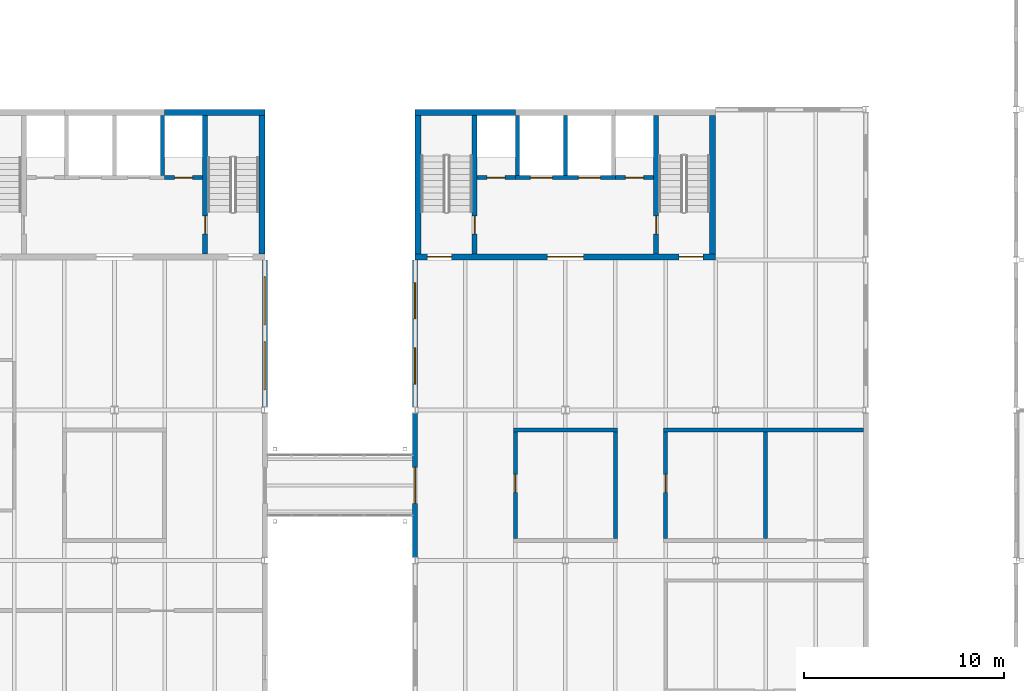
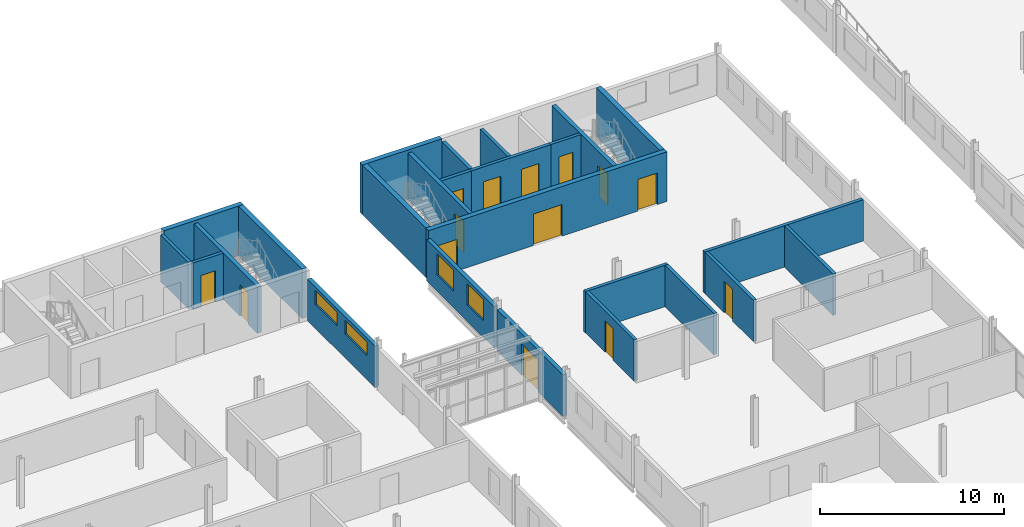
# One storey, part 73 of 214: 25 walls, 14 doors, 4 windows, 18 openings.
"""IFC4 building model written with IfcOpenShell, lengths in metres."""

from ifc_helpers import new_model, si_unit, direction, frame, frame_2d, origin, place, context, subcontext, project, spatial, rectangle, extrude, material, layer, layer_set, type_object, element, fill, save


model = new_model("IFC4")

# Units and contexts
model_context = context("Model", 3, precision=1e-05, world=origin(), true_north=direction((0.0, 1.0)))
body_context = subcontext(model_context, "Body", "Model", "MODEL_VIEW")
ifc_project = project(units=[si_unit("LENGTHUNIT", "METRE"), si_unit("AREAUNIT", "SQUARE_METRE"), si_unit("VOLUMEUNIT", "CUBIC_METRE"), si_unit("PLANEANGLEUNIT", "RADIAN"), si_unit("MASSUNIT", "GRAM", prefix="KILO")], contexts=[model_context])

# Site, building, storey
site_placement = place(None, origin())
site = spatial("IfcSite", under=ifc_project, at=site_placement, CompositionType="ELEMENT")
building_placement = place(site_placement, origin())
building = spatial("IfcBuilding", under=site, at=building_placement, Name="Parallax Yard Mobility Hub", CompositionType="ELEMENT")
storey_placement = place(building_placement, frame((0.0, 0.0, 3.300048828125)))
storey = spatial("IfcBuildingStorey", under=building, at=storey_placement, Name="L01", CompositionType="ELEMENT", Elevation=3.300048828125)

# Walls
ifc_material_1 = material(Name="Concrete fc' 35 MPa", Category="concrete")
ifc_layer_1 = layer(ifc_material_1, 0.300048828125)
ifc_layer_set_1 = layer_set([ifc_layer_1], Name="Concrete fc' 35 MPa core wall 300")
wall_type_1 = type_object("IfcWallType", Name="Concrete fc' 35 MPa core wall 300", PredefinedType="SHEAR", material=ifc_layer_set_1)
wall_1_placement = place(storey_placement, frame((137.5, 52.35009765625, 0.0), z_axis=(0.0, 0.0, 1.0), x_axis=(1.0, 0.0, 0.0)))
element("IfcWall", 1, at=wall_1_placement, inside=storey, type_object=wall_type_1, Name="Core C6-E back wall part 3 level L01", PredefinedType="SHEAR", context=body_context, shape_type="SweptSolid", body=[
    extrude(rectangle(XDim=5.0, YDim=0.300048828125, at=frame_2d((2.5, 0.0))), origin(), (0.0, 0.0, 1.0), 3.300048828125),
])
wall_2_placement = place(storey_placement, frame((142.35009765625, 52.199951171875, 0.0), z_axis=(0.0, 0.0, 1.0), x_axis=(0.0, -1.0, 0.0)))
element("IfcWall", 2, at=wall_2_placement, inside=storey, type_object=wall_type_1, Name="Core C6-E east-side end wall level L01", PredefinedType="SHEAR", context=body_context, shape_type="SweptSolid", body=[
    extrude(rectangle(XDim=6.89990234375, YDim=0.300048828125, at=frame_2d((3.449951171875, 0.0))), origin(), (0.0, 0.0, 1.0), 3.300048828125),
])

# Wall, openings, doors
wall_3_placement = place(storey_placement, frame((165.0, 45.14990234375, 0.0), z_axis=(0.0, 0.0, 1.0), x_axis=(-1.0, 0.0, 0.0)))
wall_3 = element("IfcWall", 3, at=wall_3_placement, inside=storey, type_object=wall_type_1, Name="Core C5 entry wall level L01", PredefinedType="SHEAR", context=body_context, shape_type="SweptSolid", body=[
    extrude(rectangle(XDim=15.0, YDim=0.300048828125, at=frame_2d((7.5, 0.0))), origin(), (0.0, 0.0, 1.0), 3.300048828125),
])
opening_1_placement = place(wall_3_placement, frame((13.179931640625, 0.0, 0.0)))
opening_1 = element("IfcOpeningElement", 4, at=opening_1_placement, cuts=wall_3, Name="Opening L01-D751", PredefinedType="OPENING", context=body_context, shape_type="SweptSolid", body=[
    extrude(rectangle(XDim=1.199951171875, YDim=2.10009765625, at=frame_2d((0.60009765625, 1.050048828125))), frame((0.0, 0.16015625, 0.0), z_axis=(0.0, -1.0, 0.0), x_axis=(1.0, 0.0, 0.0)), (0.0, 0.0, 1.0), 0.320068359375),
])
opening_2_placement = place(wall_3_placement, frame((0.6201171875, 0.0, 0.0)))
opening_2 = element("IfcOpeningElement", 5, at=opening_2_placement, cuts=wall_3, Name="Opening L01-D752", PredefinedType="OPENING", context=body_context, shape_type="SweptSolid", body=[
    extrude(rectangle(XDim=1.199951171875, YDim=2.10009765625, at=frame_2d((0.60009765625, 1.050048828125))), frame((0.0, 0.16015625, 0.0), z_axis=(0.0, -1.0, 0.0), x_axis=(1.0, 0.0, 0.0)), (0.0, 0.0, 1.0), 0.320068359375),
])
opening_3_placement = place(wall_3_placement, frame((6.60009765625, 0.0, 0.0)))
opening_3 = element("IfcOpeningElement", 6, at=opening_3_placement, cuts=wall_3, Name="Opening L01-D753", PredefinedType="OPENING", context=body_context, shape_type="SweptSolid", body=[
    extrude(rectangle(XDim=1.800048828125, YDim=2.10009765625, at=frame_2d((0.89990234375, 1.050048828125))), frame((0.0, 0.16015625, 0.0), z_axis=(0.0, -1.0, 0.0), x_axis=(1.0, 0.0, 0.0)), (0.0, 0.0, 1.0), 0.320068359375),
])
ifc_material_2 = material(Name="Hollow metal steel door and frame", Category="steel")
door_type_1 = type_object("IfcDoorType", Name="Core door 1200 x 2100 FD90", OperationType="NOTDEFINED", PredefinedType="DOOR", material=ifc_material_2)
door_1_placement = place(opening_1_placement, origin())
door_1 = element("IfcDoor", 7, at=door_1_placement, inside=storey, type_object=door_type_1, Name="Stair deck door L01-D751, core C5 level L01", OperationType="SINGLE_SWING_RIGHT", OverallHeight=2.10009765625, OverallWidth=1.199951171875, PredefinedType="DOOR", context=body_context, shape_type="SweptSolid", body=[
    extrude(rectangle(XDim=1.199951171875, YDim=2.10009765625, at=frame_2d((0.60009765625, 1.050048828125))), frame((0.0, 0.02490234375, 0.0), z_axis=(0.0, -1.0, 0.0), x_axis=(1.0, 0.0, 0.0)), (0.0, 0.0, 1.0), 0.050048828125),
])
fill(opening_1, door_1)
door_2_placement = place(opening_2_placement, origin())
door_2 = element("IfcDoor", 8, at=door_2_placement, inside=storey, type_object=door_type_1, Name="Stair deck door L01-D752, core C5 level L01", OperationType="SINGLE_SWING_LEFT", OverallHeight=2.10009765625, OverallWidth=1.199951171875, PredefinedType="DOOR", context=body_context, shape_type="SweptSolid", body=[
    extrude(rectangle(XDim=1.199951171875, YDim=2.10009765625, at=frame_2d((0.60009765625, 1.050048828125))), frame((0.0, 0.02490234375, 0.0), z_axis=(0.0, -1.0, 0.0), x_axis=(1.0, 0.0, 0.0)), (0.0, 0.0, 1.0), 0.050048828125),
])
fill(opening_2, door_2)
door_type_2 = type_object("IfcDoorType", Name="Core double door 1800 x 2100 FD90", OperationType="NOTDEFINED", PredefinedType="DOOR", material=ifc_material_2)
door_3_placement = place(opening_3_placement, origin())
door_3 = element("IfcDoor", 9, at=door_3_placement, inside=storey, type_object=door_type_2, Name="Lift lobby door L01-D753, core C5 level L01", OperationType="DOUBLE_DOOR_SINGLE_SWING", OverallHeight=2.10009765625, OverallWidth=1.800048828125, PredefinedType="DOOR", context=body_context, shape_type="SweptSolid", body=[
    extrude(rectangle(XDim=1.800048828125, YDim=2.10009765625, at=frame_2d((0.89990234375, 1.050048828125))), frame((0.0, 0.02490234375, 0.0), z_axis=(0.0, -1.0, 0.0), x_axis=(1.0, 0.0, 0.0)), (0.0, 0.0, 1.0), 0.050048828125),
])
fill(opening_3, door_3)

# Walls
wall_4_placement = place(storey_placement, frame((150.0, 52.35009765625, 0.0), z_axis=(0.0, 0.0, 1.0), x_axis=(1.0, 0.0, 0.0)))
element("IfcWall", 10, at=wall_4_placement, inside=storey, type_object=wall_type_1, Name="Core C5 back wall part 1 level L01", PredefinedType="SHEAR", context=body_context, shape_type="SweptSolid", body=[
    extrude(rectangle(XDim=5.0, YDim=0.300048828125, at=frame_2d((2.5, 0.0))), origin(), (0.0, 0.0, 1.0), 3.300048828125),
])
for number, where, z_axis, x_axis, name in (
    (11, (150.14990234375, 45.300048828125, 0.0), (0.0, 0.0, 1.0), (0.0, 1.0, 0.0), "Core C5 west-side end wall level L01"),
    (12, (164.85009765625, 45.300048828125, 0.0), (0.0, 0.0, 1.0), (0.0, 1.0, 0.0), "Core C5 east-side end wall level L01"),
):
    element("IfcWall", number, at=place(storey_placement, frame(where, z_axis=z_axis, x_axis=x_axis)), inside=storey, type_object=wall_type_1, Name=name, PredefinedType="SHEAR", context=body_context, shape_type="SweptSolid", body=[
        extrude(rectangle(XDim=6.89990234375, YDim=0.300048828125, at=frame_2d((3.449951171875, 0.0))), origin(), (0.0, 0.0, 1.0), 3.300048828125),
    ])

# Wall, opening, door
ifc_layer_2 = layer(ifc_material_1, 0.199951171875)
ifc_layer_set_2 = layer_set([ifc_layer_2], Name="Concrete fc' 35 MPa internal core wall 200")
wall_type_2 = type_object("IfcWallType", Name="Concrete fc' 35 MPa internal core wall 200", PredefinedType="STANDARD", material=ifc_layer_set_2)
wall_5_placement = place(storey_placement, frame((139.39990234375, 49.10009765625, 0.0), z_axis=(0.0, 0.0, 1.0), x_axis=(-1.0, 0.0, 0.0)))
wall_5 = element("IfcWall", 13, at=wall_5_placement, inside=storey, type_object=wall_type_2, Name="Core C6-E lift front 3 part 3 level L01", PredefinedType="STANDARD", context=body_context, shape_type="SweptSolid", body=[
    extrude(rectangle(XDim=1.89990234375, YDim=0.199951171875, at=frame_2d((0.949951171875, 0.0))), origin(), (0.0, 0.0, 1.0), 3.099853515625),
])
opening_4_placement = place(wall_5_placement, frame((0.5, 0.0, 0.0)))
opening_4 = element("IfcOpeningElement", 14, at=opening_4_placement, cuts=wall_5, Name="Opening L01-D750", PredefinedType="OPENING", context=body_context, shape_type="SweptSolid", body=[
    extrude(rectangle(XDim=0.89990234375, YDim=2.10009765625, at=frame_2d((0.449951171875, 1.050048828125))), frame((0.0, 0.10986328125, 0.0), z_axis=(0.0, -1.0, 0.0), x_axis=(1.0, 0.0, 0.0)), (0.0, 0.0, 1.0), 0.219970703125),
])
door_type_3 = type_object("IfcDoorType", Name="Riser door 900 x 2100 FD90", OperationType="NOTDEFINED", PredefinedType="DOOR", material=ifc_material_2)
door_4_placement = place(opening_4_placement, origin())
door_4 = element("IfcDoor", 15, at=door_4_placement, inside=storey, type_object=door_type_3, Name="Riser door L01-D750, core C6-E level L01", OperationType="SINGLE_SWING_LEFT", OverallHeight=2.10009765625, OverallWidth=0.89990234375, PredefinedType="DOOR", context=body_context, shape_type="SweptSolid", body=[
    extrude(rectangle(XDim=0.89990234375, YDim=2.10009765625, at=frame_2d((0.449951171875, 1.050048828125))), frame((0.0, 0.02490234375, 0.0), z_axis=(0.0, -1.0, 0.0), x_axis=(1.0, 0.0, 0.0)), (0.0, 0.0, 1.0), 0.050048828125),
])
fill(opening_4, door_4)

# Wall
wall_6_placement = place(storey_placement, frame((137.39990234375, 49.199951171875, 0.0), z_axis=(0.0, 0.0, 1.0), x_axis=(0.0, 1.0, 0.0)))
element("IfcWall", 16, at=wall_6_placement, inside=storey, type_object=wall_type_2, Name="Core C6-E lift wall 3 part 3 level L01", PredefinedType="STANDARD", context=body_context, shape_type="SweptSolid", body=[
    extrude(rectangle(XDim=3.0, YDim=0.199951171875, at=frame_2d((1.5, 0.0))), origin(), (0.0, 0.0, 1.0), 3.099853515625),
])

# Wall, opening, door
wall_7_placement = place(storey_placement, frame((155.0, 49.10009765625, 0.0), z_axis=(0.0, 0.0, 1.0), x_axis=(-1.0, 0.0, 0.0)))
wall_7 = element("IfcWall", 17, at=wall_7_placement, inside=storey, type_object=wall_type_2, Name="Core C5 lift front 1 part 1 level L01", PredefinedType="STANDARD", context=body_context, shape_type="SweptSolid", body=[
    extrude(rectangle(XDim=1.89990234375, YDim=0.199951171875, at=frame_2d((0.949951171875, 0.0))), origin(), (0.0, 0.0, 1.0), 3.099853515625),
])
opening_5_placement = place(wall_7_placement, frame((0.5, 0.0, 0.0)))
opening_5 = element("IfcOpeningElement", 18, at=opening_5_placement, cuts=wall_7, Name="Opening L01-D758", PredefinedType="OPENING", context=body_context, shape_type="SweptSolid", body=[
    extrude(rectangle(XDim=0.89990234375, YDim=2.10009765625, at=frame_2d((0.449951171875, 1.050048828125))), frame((0.0, 0.10986328125, 0.0), z_axis=(0.0, -1.0, 0.0), x_axis=(1.0, 0.0, 0.0)), (0.0, 0.0, 1.0), 0.219970703125),
])
door_5_placement = place(opening_5_placement, origin())
door_5 = element("IfcDoor", 19, at=door_5_placement, inside=storey, type_object=door_type_3, Name="Riser door L01-D758, core C5 level L01", OperationType="SINGLE_SWING_RIGHT", OverallHeight=2.10009765625, OverallWidth=0.89990234375, PredefinedType="DOOR", context=body_context, shape_type="SweptSolid", body=[
    extrude(rectangle(XDim=0.89990234375, YDim=2.10009765625, at=frame_2d((0.449951171875, 1.050048828125))), frame((0.0, 0.02490234375, 0.0), z_axis=(0.0, -1.0, 0.0), x_axis=(1.0, 0.0, 0.0)), (0.0, 0.0, 1.0), 0.050048828125),
])
fill(opening_5, door_5)

# Wall, openings, doors
wall_8_placement = place(storey_placement, frame((155.0, 49.10009765625, 0.0), z_axis=(0.0, 0.0, 1.0), x_axis=(1.0, 0.0, 0.0)))
wall_8 = element("IfcWall", 20, at=wall_8_placement, inside=storey, type_object=wall_type_2, Name="Core C5 lift front 2 part 2 level L01", PredefinedType="STANDARD", context=body_context, shape_type="SweptSolid", body=[
    extrude(rectangle(XDim=5.0, YDim=0.199951171875, at=frame_2d((2.5, 0.0))), origin(), (0.0, 0.0, 1.0), 3.099853515625),
])
opening_6_placement = place(wall_8_placement, frame((0.75, 0.0, 0.0)))
opening_6 = element("IfcOpeningElement", 21, at=opening_6_placement, cuts=wall_8, Name="Opening L01-D756", PredefinedType="OPENING", context=body_context, shape_type="SweptSolid", body=[
    extrude(rectangle(XDim=1.10009765625, YDim=2.10009765625, at=frame_2d((0.550048828125, 1.050048828125))), frame((0.0, 0.10986328125, 0.0), z_axis=(0.0, -1.0, 0.0), x_axis=(1.0, 0.0, 0.0)), (0.0, 0.0, 1.0), 0.219970703125),
])
opening_7_placement = place(wall_8_placement, frame((3.14990234375, 0.0, 0.0)))
opening_7 = element("IfcOpeningElement", 22, at=opening_7_placement, cuts=wall_8, Name="Opening L01-D757", PredefinedType="OPENING", context=body_context, shape_type="SweptSolid", body=[
    extrude(rectangle(XDim=1.10009765625, YDim=2.10009765625, at=frame_2d((0.550048828125, 1.050048828125))), frame((0.0, 0.10986328125, 0.0), z_axis=(0.0, -1.0, 0.0), x_axis=(1.0, 0.0, 0.0)), (0.0, 0.0, 1.0), 0.219970703125),
])
ifc_material_3 = material(Name="Stainless steel sliding door and frame", Category="steel")
door_type_4 = type_object("IfcDoorType", Name="Lift landing door 1100 x 2100 FD90", OperationType="DOUBLE_DOOR_SLIDING", PredefinedType="DOOR", material=ifc_material_3)
door_6_placement = place(opening_6_placement, origin())
door_6 = element("IfcDoor", 23, at=door_6_placement, inside=storey, type_object=door_type_4, Name="Lift landing door L01-D756, core C5 level L01", OperationType="DOUBLE_DOOR_SLIDING", OverallHeight=2.10009765625, OverallWidth=1.10009765625, PredefinedType="DOOR", context=body_context, shape_type="SweptSolid", body=[
    extrude(rectangle(XDim=1.10009765625, YDim=2.10009765625, at=frame_2d((0.550048828125, 1.050048828125))), frame((0.0, 0.02490234375, 0.0), z_axis=(0.0, -1.0, 0.0), x_axis=(1.0, 0.0, 0.0)), (0.0, 0.0, 1.0), 0.050048828125),
])
fill(opening_6, door_6)
door_7_placement = place(opening_7_placement, origin())
door_7 = element("IfcDoor", 24, at=door_7_placement, inside=storey, type_object=door_type_4, Name="Lift landing door L01-D757, core C5 level L01", OperationType="DOUBLE_DOOR_SLIDING", OverallHeight=2.10009765625, OverallWidth=1.10009765625, PredefinedType="DOOR", context=body_context, shape_type="SweptSolid", body=[
    extrude(rectangle(XDim=1.10009765625, YDim=2.10009765625, at=frame_2d((0.550048828125, 1.050048828125))), frame((0.0, 0.02490234375, 0.0), z_axis=(0.0, -1.0, 0.0), x_axis=(1.0, 0.0, 0.0)), (0.0, 0.0, 1.0), 0.050048828125),
])
fill(opening_7, door_7)

# Wall, opening, door
wall_9_placement = place(storey_placement, frame((161.89990234375, 49.10009765625, 0.0), z_axis=(0.0, 0.0, 1.0), x_axis=(-1.0, 0.0, 0.0)))
wall_9 = element("IfcWall", 25, at=wall_9_placement, inside=storey, type_object=wall_type_2, Name="Core C5 lift front 3 part 3 level L01", PredefinedType="STANDARD", context=body_context, shape_type="SweptSolid", body=[
    extrude(rectangle(XDim=1.89990234375, YDim=0.199951171875, at=frame_2d((0.949951171875, 0.0))), origin(), (0.0, 0.0, 1.0), 3.099853515625),
])
opening_8_placement = place(wall_9_placement, frame((0.5, 0.0, 0.0)))
opening_8 = element("IfcOpeningElement", 26, at=opening_8_placement, cuts=wall_9, Name="Opening L01-D759", PredefinedType="OPENING", context=body_context, shape_type="SweptSolid", body=[
    extrude(rectangle(XDim=0.89990234375, YDim=2.10009765625, at=frame_2d((0.449951171875, 1.050048828125))), frame((0.0, 0.10986328125, 0.0), z_axis=(0.0, -1.0, 0.0), x_axis=(1.0, 0.0, 0.0)), (0.0, 0.0, 1.0), 0.219970703125),
])
door_8_placement = place(opening_8_placement, origin())
door_8 = element("IfcDoor", 27, at=door_8_placement, inside=storey, type_object=door_type_3, Name="Riser door L01-D759, core C5 level L01", OperationType="SINGLE_SWING_LEFT", OverallHeight=2.10009765625, OverallWidth=0.89990234375, PredefinedType="DOOR", context=body_context, shape_type="SweptSolid", body=[
    extrude(rectangle(XDim=0.89990234375, YDim=2.10009765625, at=frame_2d((0.449951171875, 1.050048828125))), frame((0.0, 0.02490234375, 0.0), z_axis=(0.0, -1.0, 0.0), x_axis=(1.0, 0.0, 0.0)), (0.0, 0.0, 1.0), 0.050048828125),
])
fill(opening_8, door_8)

# Walls
for number, where, z_axis, x_axis, name in (
    (28, (155.10009765625, 49.199951171875, 0.0), (0.0, 0.0, 1.0), (0.0, 1.0, 0.0), "Core C5 lift wall 1 part 1 level L01"),
    (29, (157.5, 49.199951171875, 0.0), (0.0, 0.0, 1.0), (0.0, 1.0, 0.0), "Core C5 lift wall 2 part 2 level L01"),
):
    element("IfcWall", number, at=place(storey_placement, frame(where, z_axis=z_axis, x_axis=x_axis)), inside=storey, type_object=wall_type_2, Name=name, PredefinedType="STANDARD", context=body_context, shape_type="SweptSolid", body=[
        extrude(rectangle(XDim=3.0, YDim=0.199951171875, at=frame_2d((1.5, 0.0))), origin(), (0.0, 0.0, 1.0), 3.099853515625),
    ])

# Wall, opening, door
ifc_layer_3 = layer(ifc_material_1, 0.25)
ifc_layer_set_3 = layer_set([ifc_layer_3], Name="Concrete fc' 35 MPa stair enclosure wall 250")
wall_type_3 = type_object("IfcWallType", Name="Concrete fc' 35 MPa stair enclosure wall 250", PredefinedType="STANDARD", material=ifc_layer_set_3)
wall_10_placement = place(storey_placement, frame((139.52490234375, 52.199951171875, 0.0), z_axis=(0.0, 0.0, 1.0), x_axis=(0.0, -1.0, 0.0)))
wall_10 = element("IfcWall", 30, at=wall_10_placement, inside=storey, type_object=wall_type_3, Name="Core C6-E stair 2 partition level L01", PredefinedType="STANDARD", context=body_context, shape_type="SweptSolid", body=[
    extrude(rectangle(XDim=6.89990234375, YDim=0.25, at=frame_2d((3.449951171875, 0.0))), origin(), (0.0, 0.0, 1.0), 3.099853515625),
])
opening_9_placement = place(wall_10_placement, frame((5.0, 0.0, 0.0)))
opening_9 = element("IfcOpeningElement", 31, at=opening_9_placement, cuts=wall_10, Name="Opening L01-D746", PredefinedType="OPENING", context=body_context, shape_type="SweptSolid", body=[
    extrude(rectangle(XDim=0.89990234375, YDim=2.10009765625, at=frame_2d((0.449951171875, 1.050048828125))), frame((0.0, 0.135009765625, 0.0), z_axis=(0.0, -1.0, 0.0), x_axis=(1.0, 0.0, 0.0)), (0.0, 0.0, 1.0), 0.27001953125),
])
door_type_5 = type_object("IfcDoorType", Name="Core door 900 x 2100 FD90", OperationType="NOTDEFINED", PredefinedType="DOOR", material=ifc_material_2)
door_9_placement = place(opening_9_placement, origin())
door_9 = element("IfcDoor", 32, at=door_9_placement, inside=storey, type_object=door_type_5, Name="Stair lobby door L01-D746, core C6-E level L01", OperationType="SINGLE_SWING_RIGHT", OverallHeight=2.10009765625, OverallWidth=0.89990234375, PredefinedType="DOOR", context=body_context, shape_type="SweptSolid", body=[
    extrude(rectangle(XDim=0.89990234375, YDim=2.10009765625, at=frame_2d((0.449951171875, 1.050048828125))), frame((0.0, 0.02490234375, 0.0), z_axis=(0.0, -1.0, 0.0), x_axis=(1.0, 0.0, 0.0)), (0.0, 0.0, 1.0), 0.050048828125),
])
fill(opening_9, door_9)

wall_11_placement = place(storey_placement, frame((152.97509765625, 45.300048828125, 0.0), z_axis=(0.0, 0.0, 1.0), x_axis=(0.0, 1.0, 0.0)))
wall_11 = element("IfcWall", 33, at=wall_11_placement, inside=storey, type_object=wall_type_3, Name="Core C5 stair 1 partition level L01", PredefinedType="STANDARD", context=body_context, shape_type="SweptSolid", body=[
    extrude(rectangle(XDim=6.89990234375, YDim=0.25, at=frame_2d((3.449951171875, 0.0))), origin(), (0.0, 0.0, 1.0), 3.099853515625),
])
opening_10_placement = place(wall_11_placement, frame((1.0, 0.0, 0.0)))
opening_10 = element("IfcOpeningElement", 34, at=opening_10_placement, cuts=wall_11, Name="Opening L01-D754", PredefinedType="OPENING", context=body_context, shape_type="SweptSolid", body=[
    extrude(rectangle(XDim=0.89990234375, YDim=2.10009765625, at=frame_2d((0.449951171875, 1.050048828125))), frame((0.0, 0.135009765625, 0.0), z_axis=(0.0, -1.0, 0.0), x_axis=(1.0, 0.0, 0.0)), (0.0, 0.0, 1.0), 0.27001953125),
])
door_10_placement = place(opening_10_placement, origin())
door_10 = element("IfcDoor", 35, at=door_10_placement, inside=storey, type_object=door_type_5, Name="Stair lobby door L01-D754, core C5 level L01", OperationType="SINGLE_SWING_LEFT", OverallHeight=2.10009765625, OverallWidth=0.89990234375, PredefinedType="DOOR", context=body_context, shape_type="SweptSolid", body=[
    extrude(rectangle(XDim=0.89990234375, YDim=2.10009765625, at=frame_2d((0.449951171875, 1.050048828125))), frame((0.0, 0.02490234375, 0.0), z_axis=(0.0, -1.0, 0.0), x_axis=(1.0, 0.0, 0.0)), (0.0, 0.0, 1.0), 0.050048828125),
])
fill(opening_10, door_10)

wall_12_placement = place(storey_placement, frame((162.02490234375, 52.199951171875, 0.0), z_axis=(0.0, 0.0, 1.0), x_axis=(0.0, -1.0, 0.0)))
wall_12 = element("IfcWall", 36, at=wall_12_placement, inside=storey, type_object=wall_type_3, Name="Core C5 stair 2 partition level L01", PredefinedType="STANDARD", context=body_context, shape_type="SweptSolid", body=[
    extrude(rectangle(XDim=6.89990234375, YDim=0.25, at=frame_2d((3.449951171875, 0.0))), origin(), (0.0, 0.0, 1.0), 3.099853515625),
])
opening_11_placement = place(wall_12_placement, frame((5.0, 0.0, 0.0)))
opening_11 = element("IfcOpeningElement", 37, at=opening_11_placement, cuts=wall_12, Name="Opening L01-D755", PredefinedType="OPENING", context=body_context, shape_type="SweptSolid", body=[
    extrude(rectangle(XDim=0.89990234375, YDim=2.10009765625, at=frame_2d((0.449951171875, 1.050048828125))), frame((0.0, 0.135009765625, 0.0), z_axis=(0.0, -1.0, 0.0), x_axis=(1.0, 0.0, 0.0)), (0.0, 0.0, 1.0), 0.27001953125),
])
door_11_placement = place(opening_11_placement, origin())
door_11 = element("IfcDoor", 38, at=door_11_placement, inside=storey, type_object=door_type_5, Name="Stair lobby door L01-D755, core C5 level L01", OperationType="SINGLE_SWING_RIGHT", OverallHeight=2.10009765625, OverallWidth=0.89990234375, PredefinedType="DOOR", context=body_context, shape_type="SweptSolid", body=[
    extrude(rectangle(XDim=0.89990234375, YDim=2.10009765625, at=frame_2d((0.449951171875, 1.050048828125))), frame((0.0, 0.02490234375, 0.0), z_axis=(0.0, -1.0, 0.0), x_axis=(1.0, 0.0, 0.0)), (0.0, 0.0, 1.0), 0.050048828125),
])
fill(opening_11, door_11)

ifc_layer_4 = layer(ifc_material_1, 0.25)
ifc_layer_set_4 = layer_set([ifc_layer_4], Name="Exterior wall, Concrete fc' 35 MPa precast, 250 with insulation lining")
wall_type_4 = type_object("IfcWallType", Name="Exterior wall, Concrete fc' 35 MPa precast, 250 with insulation lining", PredefinedType="SOLIDWALL", material=ifc_layer_set_4)
wall_13_placement = place(storey_placement, frame((150.0, 30.153564453125, 0.0), z_axis=(0.0, 0.0, 1.0), x_axis=(0.0, 1.0, 0.0)))
wall_13 = element("IfcWall", 39, at=wall_13_placement, inside=storey, type_object=wall_type_4, Name="Bicycle and shared-mobility hall west wall bay 4 level L01", PredefinedType="SOLIDWALL", context=body_context, shape_type="SweptSolid", body=[
    extrude(rectangle(XDim=7.19287109375, YDim=0.25, at=frame_2d((3.596435546875, 0.0))), origin(), (0.0, 0.0, 1.0), 2.7509765625),
])
opening_12_placement = place(wall_13_placement, frame((2.696533203125, 0.0, 0.0)))
opening_12 = element("IfcOpeningElement", 40, at=opening_12_placement, cuts=wall_13, Name="Opening L01-D102", PredefinedType="OPENING", context=body_context, shape_type="SweptSolid", body=[
    extrude(rectangle(XDim=1.800048828125, YDim=2.10009765625, at=frame_2d((0.89990234375, 1.050048828125))), frame((0.0, 0.135009765625, 0.0), z_axis=(0.0, -1.0, 0.0), x_axis=(1.0, 0.0, 0.0)), (0.0, 0.0, 1.0), 0.27001953125),
])
ifc_material_4 = material(Name="Aluminium frame with laminated glass leaves", Category="aluminium")
door_type_6 = type_object("IfcDoorType", Name="Bridge door double 1800 x 2100", OperationType="DOUBLE_DOOR_SINGLE_SWING", PredefinedType="DOOR", material=ifc_material_4)
door_12_placement = place(opening_12_placement, origin())
door_12 = element("IfcDoor", 41, at=door_12_placement, inside=storey, type_object=door_type_6, Name="Bridge door L01-D102", OperationType="DOUBLE_DOOR_SINGLE_SWING", OverallHeight=2.10009765625, OverallWidth=1.800048828125, PredefinedType="DOOR", context=body_context, shape_type="SweptSolid", body=[
    extrude(rectangle(XDim=1.800048828125, YDim=2.10009765625, at=frame_2d((0.89990234375, 1.050048828125))), frame((0.0, 0.02490234375, 0.0), z_axis=(0.0, -1.0, 0.0), x_axis=(1.0, 0.0, 0.0)), (0.0, 0.0, 1.0), 0.050048828125),
])
fill(opening_12, door_12)

# Wall, openings, windows
wall_14_placement = place(storey_placement, frame((150.0, 37.653564453125, 0.0), z_axis=(0.0, 0.0, 1.0), x_axis=(0.0, 1.0, 0.0)))
wall_14 = element("IfcWall", 42, at=wall_14_placement, inside=storey, type_object=wall_type_4, Name="Bicycle and shared-mobility hall west wall bay 5 level L01", PredefinedType="SOLIDWALL", context=body_context, shape_type="SweptSolid", body=[
    extrude(rectangle(XDim=7.346435546875, YDim=0.25, at=frame_2d((3.67333984375, 0.0))), origin(), (0.0, 0.0, 1.0), 2.7509765625),
])
opening_13_placement = place(wall_14_placement, frame((1.148681640625, 0.0, 1.10009765625)))
opening_13 = element("IfcOpeningElement", 43, at=opening_13_placement, cuts=wall_14, Name="Opening LV2", PredefinedType="OPENING", context=body_context, shape_type="SweptSolid", body=[
    extrude(rectangle(XDim=1.800048828125, YDim=1.39990234375, at=frame_2d((0.89990234375, 0.699951171875))), frame((0.0, 0.135009765625, 0.0), z_axis=(0.0, -1.0, 0.0), x_axis=(1.0, 0.0, 0.0)), (0.0, 0.0, 1.0), 0.27001953125),
])
opening_14_placement = place(wall_14_placement, frame((4.397705078125, 0.0, 1.10009765625)))
opening_14 = element("IfcOpeningElement", 44, at=opening_14_placement, cuts=wall_14, Name="Opening LV2", PredefinedType="OPENING", context=body_context, shape_type="SweptSolid", body=[
    extrude(rectangle(XDim=1.800048828125, YDim=1.39990234375, at=frame_2d((0.89990234375, 0.699951171875))), frame((0.0, 0.135009765625, 0.0), z_axis=(0.0, -1.0, 0.0), x_axis=(1.0, 0.0, 0.0)), (0.0, 0.0, 1.0), 0.27001953125),
])
ifc_material_5 = material(Name="Extruded aluminium storm louvre blades in a powder-coated frame", Category="aluminium")
window_type_1 = type_object("IfcWindowType", Name="Screen louvre 1800 x 1400", PartitioningType="SINGLE_PANEL", PredefinedType="WINDOW", material=ifc_material_5)
window_1_placement = place(opening_13_placement, origin())
window_1 = element("IfcWindow", 45, at=window_1_placement, inside=storey, type_object=window_type_1, Name="LV2 louvre level L01", OverallHeight=1.39990234375, OverallWidth=1.800048828125, PartitioningType="SINGLE_PANEL", PredefinedType="WINDOW", context=body_context, shape_type="SweptSolid", body=[
    extrude(rectangle(XDim=1.800048828125, YDim=1.39990234375, at=frame_2d((0.89990234375, 0.699951171875))), frame((0.0, 0.030029296875, 0.0), z_axis=(0.0, -1.0, 0.0), x_axis=(1.0, 0.0, 0.0)), (0.0, 0.0, 1.0), 0.06005859375),
])
fill(opening_13, window_1)
window_2_placement = place(opening_14_placement, origin())
window_2 = element("IfcWindow", 46, at=window_2_placement, inside=storey, type_object=window_type_1, Name="LV2 louvre level L01", OverallHeight=1.39990234375, OverallWidth=1.800048828125, PartitioningType="SINGLE_PANEL", PredefinedType="WINDOW", context=body_context, shape_type="SweptSolid", body=[
    extrude(rectangle(XDim=1.800048828125, YDim=1.39990234375, at=frame_2d((0.89990234375, 0.699951171875))), frame((0.0, 0.030029296875, 0.0), z_axis=(0.0, -1.0, 0.0), x_axis=(1.0, 0.0, 0.0)), (0.0, 0.0, 1.0), 0.06005859375),
])
fill(opening_14, window_2)

wall_15_placement = place(storey_placement, frame((142.5, 37.658935546875, 0.0), z_axis=(0.0, 0.0, 1.0), x_axis=(0.0, 1.0, 0.0)))
wall_15 = element("IfcWall", 47, at=wall_15_placement, inside=storey, type_object=wall_type_4, Name="Mobility service centre and workshops east wall bay 5 level L01", PredefinedType="SOLIDWALL", context=body_context, shape_type="SweptSolid", body=[
    extrude(rectangle(XDim=7.341064453125, YDim=0.25, at=frame_2d((3.67041015625, 0.0))), origin(), (0.0, 0.0, 1.0), 2.7509765625),
])
opening_15_placement = place(wall_15_placement, frame((0.846923828125, 0.0, 1.60009765625)))
opening_15 = element("IfcOpeningElement", 48, at=opening_15_placement, cuts=wall_15, Name="Opening W4", PredefinedType="OPENING", context=body_context, shape_type="SweptSolid", body=[
    extrude(rectangle(XDim=2.39990234375, YDim=0.89990234375, at=frame_2d((1.199951171875, 0.449951171875))), frame((0.0, 0.135009765625, 0.0), z_axis=(0.0, -1.0, 0.0), x_axis=(1.0, 0.0, 0.0)), (0.0, 0.0, 1.0), 0.27001953125),
])
opening_16_placement = place(wall_15_placement, frame((4.093994140625, 0.0, 1.60009765625)))
opening_16 = element("IfcOpeningElement", 49, at=opening_16_placement, cuts=wall_15, Name="Opening W4", PredefinedType="OPENING", context=body_context, shape_type="SweptSolid", body=[
    extrude(rectangle(XDim=2.39990234375, YDim=0.89990234375, at=frame_2d((1.199951171875, 0.449951171875))), frame((0.0, 0.135009765625, 0.0), z_axis=(0.0, -1.0, 0.0), x_axis=(1.0, 0.0, 0.0)), (0.0, 0.0, 1.0), 0.27001953125),
])
ifc_material_6 = material(Name="Double glazed low-E unit in thermally broken aluminium frame", Category="aluminium")
window_type_2 = type_object("IfcWindowType", Name="Workshop high-level window 2400 x 900", PartitioningType="DOUBLE_PANEL_VERTICAL", PredefinedType="WINDOW", material=ifc_material_6)
window_3_placement = place(opening_15_placement, origin())
window_3 = element("IfcWindow", 50, at=window_3_placement, inside=storey, type_object=window_type_2, Name="Window W4 level L01", OverallHeight=0.89990234375, OverallWidth=2.39990234375, PartitioningType="DOUBLE_PANEL_VERTICAL", PredefinedType="WINDOW", context=body_context, shape_type="SweptSolid", body=[
    extrude(rectangle(XDim=2.39990234375, YDim=0.89990234375, at=frame_2d((1.199951171875, 0.449951171875))), frame((0.0, 0.030029296875, 0.0), z_axis=(0.0, -1.0, 0.0), x_axis=(1.0, 0.0, 0.0)), (0.0, 0.0, 1.0), 0.06005859375),
])
fill(opening_15, window_3)
window_4_placement = place(opening_16_placement, origin())
window_4 = element("IfcWindow", 51, at=window_4_placement, inside=storey, type_object=window_type_2, Name="Window W4 level L01", OverallHeight=0.89990234375, OverallWidth=2.39990234375, PartitioningType="DOUBLE_PANEL_VERTICAL", PredefinedType="WINDOW", context=body_context, shape_type="SweptSolid", body=[
    extrude(rectangle(XDim=2.39990234375, YDim=0.89990234375, at=frame_2d((1.199951171875, 0.449951171875))), frame((0.0, 0.030029296875, 0.0), z_axis=(0.0, -1.0, 0.0), x_axis=(1.0, 0.0, 0.0)), (0.0, 0.0, 1.0), 0.06005859375),
])
fill(opening_16, window_4)

# Walls
ifc_material_7 = material(Name="Fire-rated plasterboard partition, two layers each side")
ifc_layer_5 = layer(ifc_material_7, 0.199951171875)
ifc_layer_set_5 = layer_set([ifc_layer_5], Name="Fire-rated partition 200 mm")
wall_type_5 = type_object("IfcWallType", Name="Fire-rated partition 200 mm", PredefinedType="PARTITIONING", material=ifc_layer_set_5)
wall_16_placement = place(storey_placement, frame((154.89990234375, 36.5, 0.0), z_axis=(0.0, 0.0, 1.0), x_axis=(1.0, 0.0, 0.0)))
element("IfcWall", 52, at=wall_16_placement, inside=storey, type_object=wall_type_5, Name="Partition 20 level L01", PredefinedType="PARTITIONING", context=body_context, shape_type="SweptSolid", body=[
    extrude(rectangle(XDim=5.2001953125, YDim=0.199951171875, at=frame_2d((2.60009765625, 0.0))), origin(), (0.0, 0.0, 1.0), 2.7509765625),
])
wall_17_placement = place(storey_placement, frame((162.39990234375, 36.5, 0.0), z_axis=(0.0, 0.0, 1.0), x_axis=(1.0, 0.0, 0.0)))
element("IfcWall", 53, at=wall_17_placement, inside=storey, type_object=wall_type_5, Name="Partition 21 level L01", PredefinedType="PARTITIONING", context=body_context, shape_type="SweptSolid", body=[
    extrude(rectangle(XDim=9.97509765625, YDim=0.199951171875, at=frame_2d((4.987548828125, 0.0))), origin(), (0.0, 0.0, 1.0), 2.7509765625),
])

# Wall, opening, door
wall_18_placement = place(storey_placement, frame((155.0, 31.10009765625, 0.0), z_axis=(0.0, 0.0, 1.0), x_axis=(0.0, 1.0, 0.0)))
wall_18 = element("IfcWall", 54, at=wall_18_placement, inside=storey, type_object=wall_type_5, Name="Partition 66 level L01", PredefinedType="PARTITIONING", context=body_context, shape_type="SweptSolid", body=[
    extrude(rectangle(XDim=5.2998046875, YDim=0.199951171875, at=frame_2d((2.64990234375, 0.0))), origin(), (0.0, 0.0, 1.0), 2.75390625),
])
opening_17_placement = place(wall_18_placement, frame((2.300048828125, 0.0, 0.0)))
opening_17 = element("IfcOpeningElement", 55, at=opening_17_placement, cuts=wall_18, Name="Opening L01-D213", PredefinedType="OPENING", context=body_context, shape_type="SweptSolid", body=[
    extrude(rectangle(XDim=0.89990234375, YDim=2.10009765625, at=frame_2d((0.449951171875, 1.050048828125))), frame((0.0, 0.10986328125, 0.0), z_axis=(0.0, -1.0, 0.0), x_axis=(1.0, 0.0, 0.0)), (0.0, 0.0, 1.0), 0.219970703125),
])
ifc_material_8 = material(Name="Hollow metal fire door leaf with intumescent seals")
door_type_7 = type_object("IfcDoorType", Name="Fire door 900 mm FD60", OperationType="NOTDEFINED", PredefinedType="DOOR", material=ifc_material_8)
door_13_placement = place(opening_17_placement, origin())
door_13 = element("IfcDoor", 56, at=door_13_placement, inside=storey, type_object=door_type_7, Name="Door L01-D213 Bicycle Workshop", OperationType="SINGLE_SWING_RIGHT", OverallHeight=2.10009765625, OverallWidth=0.89990234375, PredefinedType="DOOR", context=body_context, shape_type="SweptSolid", body=[
    extrude(rectangle(XDim=0.89990234375, YDim=2.10009765625, at=frame_2d((0.449951171875, 1.050048828125))), frame((0.0, 0.02490234375, 0.0), z_axis=(0.0, -1.0, 0.0), x_axis=(1.0, 0.0, 0.0)), (0.0, 0.0, 1.0), 0.050048828125),
])
fill(opening_17, door_13)

# Wall
wall_19_placement = place(storey_placement, frame((160.0, 31.10009765625, 0.0), z_axis=(0.0, 0.0, 1.0), x_axis=(0.0, 1.0, 0.0)))
element("IfcWall", 57, at=wall_19_placement, inside=storey, type_object=wall_type_5, Name="Partition 67 level L01", PredefinedType="PARTITIONING", context=body_context, shape_type="SweptSolid", body=[
    extrude(rectangle(XDim=5.2998046875, YDim=0.199951171875, at=frame_2d((2.64990234375, 0.0))), origin(), (0.0, 0.0, 1.0), 2.75390625),
])

# Wall, opening, door
wall_20_placement = place(storey_placement, frame((162.5, 31.10009765625, 0.0), z_axis=(0.0, 0.0, 1.0), x_axis=(0.0, 1.0, 0.0)))
wall_20 = element("IfcWall", 58, at=wall_20_placement, inside=storey, type_object=wall_type_5, Name="Partition 71 level L01", PredefinedType="PARTITIONING", context=body_context, shape_type="SweptSolid", body=[
    extrude(rectangle(XDim=5.2998046875, YDim=0.199951171875, at=frame_2d((2.64990234375, 0.0))), origin(), (0.0, 0.0, 1.0), 2.75390625),
])
opening_18_placement = place(wall_20_placement, frame((2.300048828125, 0.0, 0.0)))
opening_18 = element("IfcOpeningElement", 59, at=opening_18_placement, cuts=wall_20, Name="Opening L01-D214", PredefinedType="OPENING", context=body_context, shape_type="SweptSolid", body=[
    extrude(rectangle(XDim=0.89990234375, YDim=2.10009765625, at=frame_2d((0.449951171875, 1.050048828125))), frame((0.0, 0.10986328125, 0.0), z_axis=(0.0, -1.0, 0.0), x_axis=(1.0, 0.0, 0.0)), (0.0, 0.0, 1.0), 0.219970703125),
])
door_14_placement = place(opening_18_placement, origin())
door_14 = element("IfcDoor", 60, at=door_14_placement, inside=storey, type_object=door_type_7, Name="Door L01-D214 Men's WC", OperationType="SINGLE_SWING_RIGHT", OverallHeight=2.10009765625, OverallWidth=0.89990234375, PredefinedType="DOOR", context=body_context, shape_type="SweptSolid", body=[
    extrude(rectangle(XDim=0.89990234375, YDim=2.10009765625, at=frame_2d((0.449951171875, 1.050048828125))), frame((0.0, 0.02490234375, 0.0), z_axis=(0.0, -1.0, 0.0), x_axis=(1.0, 0.0, 0.0)), (0.0, 0.0, 1.0), 0.050048828125),
])
fill(opening_18, door_14)

# Wall
wall_21_placement = place(storey_placement, frame((167.5, 31.10009765625, 0.0), z_axis=(0.0, 0.0, 1.0), x_axis=(0.0, 1.0, 0.0)))
element("IfcWall", 61, at=wall_21_placement, inside=storey, type_object=wall_type_5, Name="Partition 72 level L01", PredefinedType="PARTITIONING", context=body_context, shape_type="SweptSolid", body=[
    extrude(rectangle(XDim=5.2998046875, YDim=0.199951171875, at=frame_2d((2.64990234375, 0.0))), origin(), (0.0, 0.0, 1.0), 2.75390625),
])

save(model, "model.ifc")
